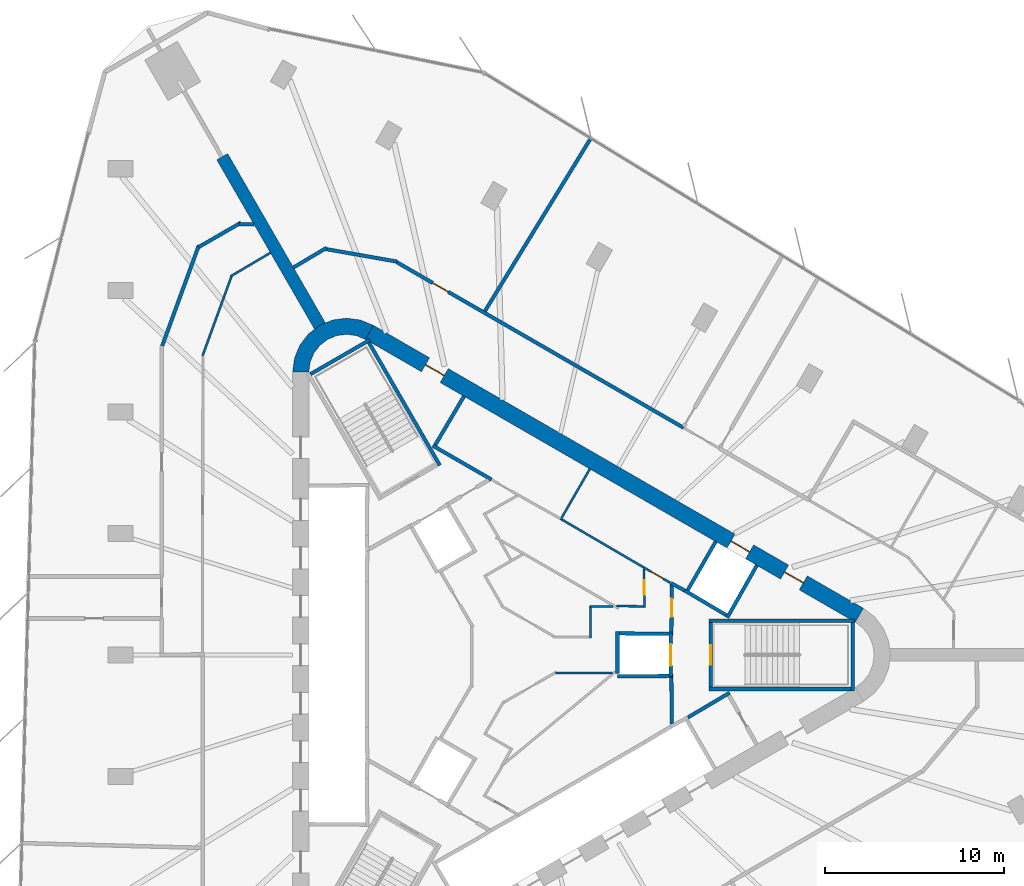
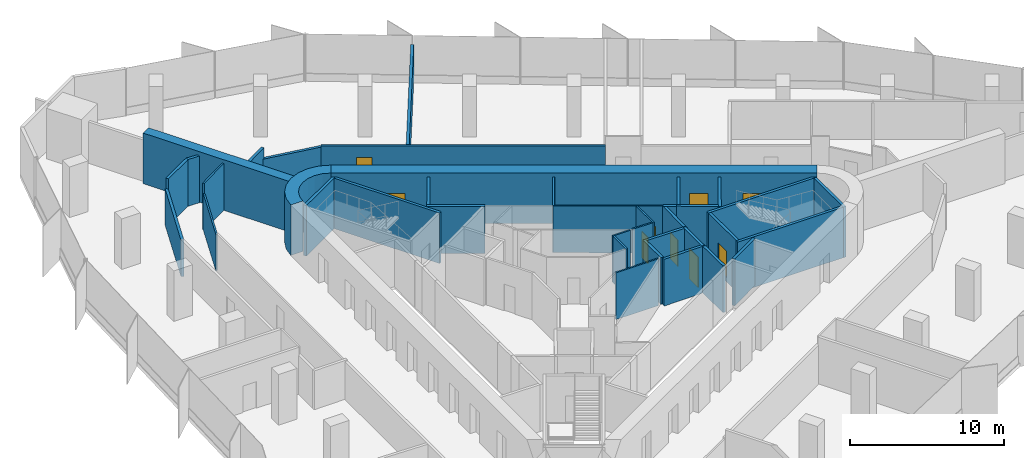
# One storey, part 11 of 14: 39 walls, 9 doors, 9 openings.
"""IFC4 building model written with IfcOpenShell, lengths in metres."""

from ifc_helpers import new_model, si_unit, direction, frame, frame_2d, origin, place, context, subcontext, project, spatial, polyline, rectangle, outline, extrude, material, layer, layer_set, type_object, element, fill, save


model = new_model("IFC4")

# Units and contexts
model_context = context("Model", 3, precision=1e-05, world=origin(), true_north=direction((0.0, 1.0)))
body_context = subcontext(model_context, "Body", "Model", "MODEL_VIEW")
ifc_project = project(units=[si_unit("LENGTHUNIT", "METRE"), si_unit("AREAUNIT", "SQUARE_METRE"), si_unit("VOLUMEUNIT", "CUBIC_METRE"), si_unit("PLANEANGLEUNIT", "RADIAN"), si_unit("MASSUNIT", "GRAM", prefix="KILO")], contexts=[model_context])

# Site, building, storey
site_placement = place(None, origin())
site = spatial("IfcSite", under=ifc_project, at=site_placement, CompositionType="ELEMENT")
building_placement = place(site_placement, origin())
building = spatial("IfcBuilding", under=site, at=building_placement, Name="Tanit Gate Tower", CompositionType="ELEMENT")
storey_placement = place(building_placement, frame((0.0, 0.0, 241.199951171875)))
storey = spatial("IfcBuildingStorey", under=building, at=storey_placement, Name="L54", CompositionType="ELEMENT", Elevation=241.199951171875)

# Wall
ifc_material_1 = material(Name="Concrete C50/60", Category="concrete")
ifc_layer_1 = layer(ifc_material_1, 0.699951171875)
ifc_layer_set_1 = layer_set([ifc_layer_1], Name="BUTTRESS FIN 700 C50/60")
wall_type_1 = type_object("IfcWallType", Name="BUTTRESS FIN 700 C50/60", PredefinedType="SHEAR", material=ifc_layer_set_1)
wall_1_placement = place(storey_placement, frame((-10.574951171875, 18.31640625, 0.0), z_axis=(0.0, 0.0, 1.0), x_axis=(-0.500002931134, 0.866023711487, 0.0)))
element("IfcWall", 1, at=wall_1_placement, inside=storey, type_object=wall_type_1, Name="BUTTRESS FIN", PredefinedType="SHEAR", context=body_context, shape_type="SweptSolid", body=[
    extrude(rectangle(XDim=10.900390625, YDim=0.699951171875, at=frame_2d((5.4501953125, 0.0))), origin(), (0.0, 0.0, 1.0), 4.0),
])

# Wall, openings, doors
ifc_material_2 = material(Name="Concrete C50/60", Category="concrete")
ifc_layer_2 = layer(ifc_material_2, 0.89990234375)
ifc_layer_set_2 = layer_set([ifc_layer_2], Name="CORE WALL 900 C50/60")
wall_type_2 = type_object("IfcWallType", Name="CORE WALL 900 C50/60", PredefinedType="SHEAR", material=ifc_layer_set_2)
wall_2_placement = place(storey_placement, frame((19.47509765625, 2.20849609375, 0.0), z_axis=(0.0, 0.0, 1.0), x_axis=(-0.866028369851, 0.499994862586, 0.0)))
wall_2 = element("IfcWall", 2, at=wall_2_placement, inside=storey, type_object=wall_type_2, Name="CORE WALL", PredefinedType="SHEAR", context=body_context, shape_type="SweptSolid", body=[
    extrude(rectangle(XDim=31.523193359375, YDim=0.89990234375, at=frame_2d((15.76171875, 0.0))), origin(), (0.0, 0.0, 1.0), 4.0),
])
opening_1_placement = place(wall_2_placement, frame((7.0615234375, 0.0, 0.0)))
opening_1 = element("IfcOpeningElement", 3, at=opening_1_placement, cuts=wall_2, Name="Opening LDML8-S15", PredefinedType="OPENING", context=body_context, shape_type="SweptSolid", body=[
    extrude(rectangle(XDim=1.199951171875, YDim=2.39990234375, at=frame_2d((0.60009765625, 1.199951171875))), frame((0.0, 0.4599609375, 0.0), z_axis=(0.0, -1.0, 0.0), x_axis=(1.0, 0.0, 0.0)), (0.0, 0.0, 1.0), 0.919921875),
])
opening_2_placement = place(wall_2_placement, frame((3.611572265625, 0.0, 0.0)))
opening_2 = element("IfcOpeningElement", 4, at=opening_2_placement, cuts=wall_2, Name="Opening F12-S15-FL1", PredefinedType="OPENING", context=body_context, shape_type="SweptSolid", body=[
    extrude(rectangle(XDim=1.199951171875, YDim=2.39990234375, at=frame_2d((0.60009765625, 1.199951171875))), frame((0.0, 0.4599609375, 0.0), z_axis=(0.0, -1.0, 0.0), x_axis=(1.0, 0.0, 0.0)), (0.0, 0.0, 1.0), 0.919921875),
])
opening_3_placement = place(wall_2_placement, frame((26.711669921875, 0.0, 0.0)))
opening_3 = element("IfcOpeningElement", 5, at=opening_3_placement, cuts=wall_2, Name="Opening F12-S15-S2", PredefinedType="OPENING", context=body_context, shape_type="SweptSolid", body=[
    extrude(rectangle(XDim=1.199951171875, YDim=2.39990234375, at=frame_2d((0.60009765625, 1.199951171875))), frame((0.0, 0.4599609375, 0.0), z_axis=(0.0, -1.0, 0.0), x_axis=(1.0, 0.0, 0.0)), (0.0, 0.0, 1.0), 0.919921875),
])
ifc_material_3 = material(Name="Fire-rated steel door leaf", Category="steel")
door_type_1 = type_object("IfcDoorType", Name="INT-DOOR-FIRE-LOBBY-1200", OperationType="NOTDEFINED", PredefinedType="USERDEFINED", material=ifc_material_3)
door_1_placement = place(opening_2_placement, origin())
door_1 = element("IfcDoor", 6, at=door_1_placement, inside=storey, type_object=door_type_1, Name="Door F12-S15-FL1", ObjectType="FIRE DOOR", OperationType="SINGLE_SWING_RIGHT", OverallHeight=2.39990234375, OverallWidth=1.199951171875, PredefinedType="USERDEFINED", context=body_context, shape_type="SweptSolid", body=[
    extrude(rectangle(XDim=1.199951171875, YDim=2.39990234375, at=frame_2d((0.60009765625, 1.199951171875))), frame((0.0, 0.02490234375, 0.0), z_axis=(0.0, -1.0, 0.0), x_axis=(1.0, 0.0, 0.0)), (0.0, 0.0, 1.0), 0.050048828125),
])
fill(opening_2, door_1)
door_2_placement = place(opening_3_placement, origin())
door_2 = element("IfcDoor", 7, at=door_2_placement, inside=storey, type_object=door_type_1, Name="Door F12-S15-S2", ObjectType="FIRE DOOR", OperationType="SINGLE_SWING_LEFT", OverallHeight=2.39990234375, OverallWidth=1.199951171875, PredefinedType="USERDEFINED", context=body_context, shape_type="SweptSolid", body=[
    extrude(rectangle(XDim=1.199951171875, YDim=2.39990234375, at=frame_2d((0.60009765625, 1.199951171875))), frame((0.0, 0.02490234375, 0.0), z_axis=(0.0, -1.0, 0.0), x_axis=(1.0, 0.0, 0.0)), (0.0, 0.0, 1.0), 0.050048828125),
])
fill(opening_3, door_2)
ifc_material_4 = material(Name="Stainless steel sliding door leaf", Category="steel")
door_type_2 = type_object("IfcDoorType", Name="INT-DOOR-LANDING-1200", OperationType="NOTDEFINED", PredefinedType="USERDEFINED", material=ifc_material_4)
door_3_placement = place(opening_1_placement, origin())
door_3 = element("IfcDoor", 8, at=door_3_placement, inside=storey, type_object=door_type_2, Name="Door LDML8-S15", ObjectType="LANDING DOOR", OperationType="SLIDING_TO_LEFT", OverallHeight=2.39990234375, OverallWidth=1.199951171875, PredefinedType="USERDEFINED", context=body_context, shape_type="SweptSolid", body=[
    extrude(rectangle(XDim=1.199951171875, YDim=2.39990234375, at=frame_2d((0.60009765625, 1.199951171875))), frame((0.0, 0.02490234375, 0.0), z_axis=(0.0, -1.0, 0.0), x_axis=(1.0, 0.0, 0.0)), (0.0, 0.0, 1.0), 0.050048828125),
])
fill(opening_1, door_3)

# Walls
wall_3_placement = place(storey_placement, origin())
element("IfcWall", 9, at=wall_3_placement, inside=storey, type_object=wall_type_2, Name="CORE WALL CORNER", PredefinedType="SHEAR", context=body_context, shape_type="SweptSolid", body=[
    extrude(outline(polyline([(-7.60009765625, 18.359619140625), (-8.323486328125, 18.659423828125), (-9.10009765625, 18.76171875), (-9.87646484375, 18.659423828125), (-10.60009765625, 18.359619140625), (-11.22119140625, 17.883056640625), (-11.697998046875, 17.26171875), (-11.997802734375, 16.5380859375), (-12.10009765625, 15.76171875), (-11.199951171875, 15.76171875), (-11.12841796875, 16.30517578125), (-10.918701171875, 16.811767578125), (-10.5849609375, 17.24658203125), (-10.14990234375, 17.580322265625), (-9.6435546875, 17.7900390625), (-9.10009765625, 17.86181640625), (-8.556396484375, 17.7900390625), (-8.050048828125, 17.580322265625), (-7.60009765625, 18.359619140625)])), origin(), (0.0, 0.0, 1.0), 4.0),
])
ifc_material_5 = material(Name="Fire-rated gypsum board partition")
ifc_layer_3 = layer(ifc_material_5, 0.199951171875)
ifc_layer_set_3 = layer_set([ifc_layer_3], Name="INT-WALL-COMPARTMENT")
wall_type_3 = type_object("IfcWallType", Name="INT-WALL-COMPARTMENT", PredefinedType="PARTITIONING", material=ifc_layer_set_3)
wall_4_placement = place(storey_placement, frame((8.97412109375, 3.998779296875, 0.0), z_axis=(0.0, 0.0, 1.0), x_axis=(0.880917147855, -0.473270513147, 0.0)))
element("IfcWall", 10, at=wall_4_placement, inside=storey, type_object=wall_type_3, Name="Wall Compartment W050", PredefinedType="PARTITIONING", context=body_context, shape_type="SweptSolid", body=[
    extrude(rectangle(XDim=0.8779296875, YDim=0.199951171875, at=frame_2d((0.43896484375, 0.0))), origin(), (0.0, 0.0, 1.0), 3.699951171875),
])
wall_5_placement = place(storey_placement, frame((-4.295654296875, 11.659912109375, 0.0), z_axis=(0.0, 0.0, 1.0), x_axis=(0.866027389382, -0.499996560828, 0.0)))
element("IfcWall", 11, at=wall_5_placement, inside=storey, type_object=wall_type_3, Name="Wall Compartment W053", PredefinedType="PARTITIONING", context=body_context, shape_type="SweptSolid", body=[
    extrude(rectangle(XDim=3.77783203125, YDim=0.199951171875, at=frame_2d((1.888916015625, 0.0))), origin(), (0.0, 0.0, 1.0), 3.699951171875),
])
wall_6_placement = place(storey_placement, frame((-2.557861328125, 14.409423828125, 0.0), z_axis=(0.0, 0.0, 1.0), x_axis=(-0.508018930956, -0.861345903683, 0.0)))
element("IfcWall", 12, at=wall_6_placement, inside=storey, type_object=wall_type_3, Name="Wall Compartment W054", PredefinedType="PARTITIONING", context=body_context, shape_type="SweptSolid", body=[
    extrude(rectangle(XDim=3.150146484375, YDim=0.199951171875, at=frame_2d((1.5751953125, 0.0))), origin(), (0.0, 0.0, 1.0), 3.699951171875),
])
wall_7_placement = place(storey_placement, frame((12.244873046875, -2.10888671875, 0.0), z_axis=(0.0, 0.0, 1.0), x_axis=(-0.860414880418, -0.509594185166, 0.0)))
element("IfcWall", 13, at=wall_7_placement, inside=storey, type_object=wall_type_3, Name="Wall Compartment W057", PredefinedType="PARTITIONING", context=body_context, shape_type="SweptSolid", body=[
    extrude(rectangle(XDim=2.7001953125, YDim=0.199951171875, at=frame_2d((1.35009765625, 0.0))), origin(), (0.0, 0.0, 1.0), 3.699951171875),
])
wall_8_placement = place(storey_placement, frame((9.02880859375, -3.8505859375, 0.0), z_axis=(0.0, 0.0, 1.0), x_axis=(-0.010784614026, 0.999941844359, 0.0)))
element("IfcWall", 14, at=wall_8_placement, inside=storey, type_object=wall_type_3, Name="Wall Compartment W059", PredefinedType="PARTITIONING", context=body_context, shape_type="SweptSolid", body=[
    extrude(rectangle(XDim=2.580810546875, YDim=0.199951171875, at=frame_2d((1.29052734375, 0.0))), origin(), (0.0, 0.0, 1.0), 3.699951171875),
])

# Wall, opening, door
wall_9_placement = place(storey_placement, frame((9.0009765625, 1.27001953125, 0.0), z_axis=(0.0, 0.0, 1.0), x_axis=(0.010723968736, 0.999942496594, 0.0)))
wall_9 = element("IfcWall", 15, at=wall_9_placement, inside=storey, type_object=wall_type_3, Name="Wall Compartment W060", PredefinedType="PARTITIONING", context=body_context, shape_type="SweptSolid", body=[
    extrude(rectangle(XDim=2.709228515625, YDim=0.199951171875, at=frame_2d((1.3544921875, 0.0))), origin(), (0.0, 0.0, 1.0), 3.699951171875),
])
opening_4_placement = place(wall_9_placement, frame((0.848388671875, 0.0, 0.0)))
opening_4 = element("IfcOpeningElement", 16, at=opening_4_placement, cuts=wall_9, Name="Opening F10-S15-02", PredefinedType="OPENING", context=body_context, shape_type="SweptSolid", body=[
    extrude(rectangle(XDim=1.0, YDim=2.10009765625, at=frame_2d((0.5, 1.050048828125))), frame((0.0, 0.10986328125, 0.0), z_axis=(0.0, -1.0, 0.0), x_axis=(1.0, 0.0, 0.0)), (0.0, 0.0, 1.0), 0.219970703125),
])
ifc_material_6 = material(Name="Fire-rated steel door leaf", Category="steel")
door_type_3 = type_object("IfcDoorType", Name="INT-DOOR-FIRE-1000", OperationType="NOTDEFINED", PredefinedType="USERDEFINED", material=ifc_material_6)
door_4_placement = place(opening_4_placement, origin())
door_4 = element("IfcDoor", 17, at=door_4_placement, inside=storey, type_object=door_type_3, Name="Door F10-S15-02", ObjectType="FIRE DOOR", OperationType="SINGLE_SWING_LEFT", OverallHeight=2.10009765625, OverallWidth=1.0, PredefinedType="USERDEFINED", context=body_context, shape_type="SweptSolid", body=[
    extrude(rectangle(XDim=1.0, YDim=2.10009765625, at=frame_2d((0.5, 1.050048828125))), frame((0.0, 0.02490234375, 0.0), z_axis=(0.0, -1.0, 0.0), x_axis=(1.0, 0.0, 0.0)), (0.0, 0.0, 1.0), 0.050048828125),
])
fill(opening_4, door_4)

# Walls
wall_10_placement = place(storey_placement, frame((-17.33056640625, 22.81396484375, 0.0), z_axis=(0.0, 0.0, 1.0), x_axis=(-0.342006584993, -0.939697555505, 0.0)))
element("IfcWall", 18, at=wall_10_placement, inside=storey, type_object=wall_type_3, Name="Wall Compartment W095", PredefinedType="PARTITIONING", context=body_context, shape_type="SweptSolid", body=[
    extrude(rectangle(XDim=5.95068359375, YDim=0.199951171875, at=frame_2d((2.975341796875, 0.0))), origin(), (0.0, 0.0, 1.0), 2.880126953125),
])
wall_11_placement = place(storey_placement, frame((-14.97998046875, 24.082763671875, 0.0), z_axis=(0.0, 0.0, 1.0), x_axis=(-0.866008795918, -0.500028764566, 0.0)))
element("IfcWall", 19, at=wall_11_placement, inside=storey, type_object=wall_type_3, Name="Wall Compartment W096", PredefinedType="PARTITIONING", context=body_context, shape_type="SweptSolid", body=[
    extrude(rectangle(XDim=2.713623046875, YDim=0.199951171875, at=frame_2d((1.35693359375, 0.0))), origin(), (0.0, 0.0, 1.0), 3.699951171875),
])
wall_12_placement = place(storey_placement, frame((-14.250244140625, 23.982421875, 0.0), z_axis=(0.0, 0.0, 1.0), x_axis=(-0.999799129767, 0.02004245786, 0.0)))
element("IfcWall", 20, at=wall_12_placement, inside=storey, type_object=wall_type_3, Name="Wall Compartment W097", PredefinedType="PARTITIONING", context=body_context, shape_type="SweptSolid", body=[
    extrude(rectangle(XDim=0.840576171875, YDim=0.199951171875, at=frame_2d((0.42041015625, 0.0))), origin(), (0.0, 0.0, 1.0), 3.699951171875),
])
wall_13_placement = place(storey_placement, frame((-10.209716796875, 22.681396484375, 0.0), z_axis=(0.0, 0.0, 1.0), x_axis=(-0.859700405816, -0.510798602425, 0.0)))
element("IfcWall", 21, at=wall_13_placement, inside=storey, type_object=wall_type_3, Name="Wall Compartment W103", PredefinedType="PARTITIONING", context=body_context, shape_type="SweptSolid", body=[
    extrude(rectangle(XDim=2.14892578125, YDim=0.199951171875, at=frame_2d((1.074462890625, 0.0))), origin(), (0.0, 0.0, 1.0), 3.699951171875),
])
wall_14_placement = place(storey_placement, frame((-6.28515625, 21.91259765625, 0.0), z_axis=(0.0, 0.0, 1.0), x_axis=(-0.984806073034, 0.173657705026, 0.0)))
element("IfcWall", 22, at=wall_14_placement, inside=storey, type_object=wall_type_3, Name="Wall Compartment W104", PredefinedType="PARTITIONING", context=body_context, shape_type="SweptSolid", body=[
    extrude(rectangle(XDim=4.03759765625, YDim=0.199951171875, at=frame_2d((2.018798828125, 0.0))), origin(), (0.0, 0.0, 1.0), 2.880126953125),
])

# Wall, opening, door
wall_15_placement = place(storey_placement, frame((9.67529296875, 12.658203125, 0.0), z_axis=(0.0, 0.0, 1.0), x_axis=(-0.866025327327, 0.500000132428, 0.0)))
wall_15 = element("IfcWall", 23, at=wall_15_placement, inside=storey, type_object=wall_type_3, Name="Wall Compartment W106", PredefinedType="PARTITIONING", context=body_context, shape_type="SweptSolid", body=[
    extrude(rectangle(XDim=18.443359375, YDim=0.199951171875, at=frame_2d((9.2216796875, 0.0))), origin(), (0.0, 0.0, 1.0), 2.97998046875),
])
opening_5_placement = place(wall_15_placement, frame((15.1376953125, 0.0, 0.0)))
opening_5 = element("IfcOpeningElement", 24, at=opening_5_placement, cuts=wall_15, Name="Opening F10-S15-34", PredefinedType="OPENING", context=body_context, shape_type="SweptSolid", body=[
    extrude(rectangle(XDim=1.0, YDim=2.10009765625, at=frame_2d((0.5, 1.050048828125))), frame((0.0, 0.10986328125, 0.0), z_axis=(0.0, -1.0, 0.0), x_axis=(1.0, 0.0, 0.0)), (0.0, 0.0, 1.0), 0.219970703125),
])
door_5_placement = place(opening_5_placement, origin())
door_5 = element("IfcDoor", 25, at=door_5_placement, inside=storey, type_object=door_type_3, Name="Door F10-S15-34", ObjectType="FIRE DOOR", OperationType="SINGLE_SWING_LEFT", OverallHeight=2.10009765625, OverallWidth=1.0, PredefinedType="USERDEFINED", context=body_context, shape_type="SweptSolid", body=[
    extrude(rectangle(XDim=1.0, YDim=2.10009765625, at=frame_2d((0.5, 1.050048828125))), frame((0.0, 0.02490234375, 0.0), z_axis=(0.0, -1.0, 0.0), x_axis=(1.0, 0.0, 0.0)), (0.0, 0.0, 1.0), 0.050048828125),
])
fill(opening_5, door_5)

# Walls
wall_16_placement = place(storey_placement, frame((-1.38525390625, 19.15966796875, 0.0), z_axis=(0.0, 0.0, 1.0), x_axis=(0.522271376538, 0.852779343822, 0.0)))
element("IfcWall", 26, at=wall_16_placement, inside=storey, type_object=wall_type_3, Name="Wall Compartment W133", PredefinedType="PARTITIONING", context=body_context, shape_type="SweptSolid", body=[
    extrude(rectangle(XDim=11.286376953125, YDim=0.199951171875, at=frame_2d((5.64306640625, 0.0))), origin(), (0.0, 0.0, 1.0), 2.97998046875),
])
ifc_material_7 = material(Name="Gypsum board partition")
ifc_layer_4 = layer(ifc_material_7, 0.1201171875)
ifc_layer_set_4 = layer_set([ifc_layer_4], Name="INT-WALL-PARTITION")
wall_type_4 = type_object("IfcWallType", Name="INT-WALL-PARTITION", PredefinedType="PARTITIONING", material=ifc_layer_set_4)
wall_17_placement = place(storey_placement, frame((4.456787109375, 10.359375, 0.0), z_axis=(0.0, 0.0, 1.0), x_axis=(-0.500017246033, -0.866015446554, 0.0)))
element("IfcWall", 27, at=wall_17_placement, inside=storey, type_object=wall_type_4, Name="Wall Partition W049", PredefinedType="PARTITIONING", context=body_context, shape_type="SweptSolid", body=[
    extrude(rectangle(XDim=3.25, YDim=0.1201171875, at=frame_2d((1.625, 0.0))), origin(), (0.0, 0.0, 1.0), 3.699951171875),
])
wall_18_placement = place(storey_placement, frame((2.82080078125, 7.5859375, 0.0), z_axis=(0.0, 0.0, 1.0), x_axis=(0.863262357411, -0.504755487615, 0.0)))
element("IfcWall", 28, at=wall_18_placement, inside=storey, type_object=wall_type_4, Name="Wall Partition W051", PredefinedType="PARTITIONING", context=body_context, shape_type="SweptSolid", body=[
    extrude(rectangle(XDim=5.370361328125, YDim=0.1201171875, at=frame_2d((2.68505859375, 0.0))), origin(), (0.0, 0.0, 1.0), 3.699951171875),
])

# Wall, opening, door
wall_19_placement = place(storey_placement, frame((7.45654296875, 4.874755859375, 0.0), z_axis=(0.0, 0.0, 1.0), x_axis=(0.866027945518, -0.499995597562, 0.0)))
wall_19 = element("IfcWall", 29, at=wall_19_placement, inside=storey, type_object=wall_type_4, Name="Wall Partition W052", PredefinedType="PARTITIONING", context=body_context, shape_type="SweptSolid", body=[
    extrude(rectangle(XDim=1.7021484375, YDim=0.1201171875, at=frame_2d((0.85107421875, 0.0))), origin(), (0.0, 0.0, 1.0), 3.699951171875),
])
opening_6_placement = place(wall_19_placement, frame((0.461181640625, 0.0, 0.0)))
opening_6 = element("IfcOpeningElement", 30, at=opening_6_placement, cuts=wall_19, Name="Opening R08-S15-15", PredefinedType="OPENING", context=body_context, shape_type="SweptSolid", body=[
    extrude(rectangle(XDim=0.800048828125, YDim=2.10009765625, at=frame_2d((0.39990234375, 1.050048828125))), frame((0.0, 0.070068359375, 0.0), z_axis=(0.0, -1.0, 0.0), x_axis=(1.0, 0.0, 0.0)), (0.0, 0.0, 1.0), 0.14013671875),
])
ifc_material_8 = material(Name="Timber door leaf", Category="wood")
door_type_4 = type_object("IfcDoorType", Name="INT-DOOR-RISER-800", OperationType="NOTDEFINED", PredefinedType="USERDEFINED", material=ifc_material_8)
door_6_placement = place(opening_6_placement, origin())
door_6 = element("IfcDoor", 31, at=door_6_placement, inside=storey, type_object=door_type_4, Name="Door R08-S15-15", ObjectType="FIRE DOOR", OperationType="SINGLE_SWING_LEFT", OverallHeight=2.10009765625, OverallWidth=0.800048828125, PredefinedType="USERDEFINED", context=body_context, shape_type="SweptSolid", body=[
    extrude(rectangle(XDim=0.800048828125, YDim=2.10009765625, at=frame_2d((0.39990234375, 1.050048828125))), frame((0.0, 0.02490234375, 0.0), z_axis=(0.0, -1.0, 0.0), x_axis=(1.0, 0.0, 0.0)), (0.0, 0.0, 1.0), 0.050048828125),
])
fill(opening_6, door_6)

# Walls
wall_20_placement = place(storey_placement, frame((5.712646484375, -1.0, 0.0), z_axis=(0.0, 0.0, 1.0), x_axis=(-1.0, 0.0, 0.0)))
element("IfcWall", 32, at=wall_20_placement, inside=storey, type_object=wall_type_4, Name="Wall Partition W073", PredefinedType="PARTITIONING", context=body_context, shape_type="SweptSolid", body=[
    extrude(rectangle(XDim=3.1826171875, YDim=0.1201171875, at=frame_2d((1.59130859375, 0.0))), origin(), (0.0, 0.0, 1.0), 3.699951171875),
])
wall_21_placement = place(storey_placement, frame((4.43994140625, 2.699951171875, 0.0), z_axis=(0.0, 0.0, 1.0), x_axis=(1.0, 0.0, 0.0)))
element("IfcWall", 33, at=wall_21_placement, inside=storey, type_object=wall_type_4, Name="Wall Partition W077", PredefinedType="PARTITIONING", context=body_context, shape_type="SweptSolid", body=[
    extrude(rectangle(XDim=1.301513671875, YDim=0.1201171875, at=frame_2d((0.65087890625, 0.0))), origin(), (0.0, 0.0, 1.0), 3.699951171875),
])
wall_22_placement = place(storey_placement, frame((4.5, 0.93994140625, 0.0), z_axis=(0.0, 0.0, 1.0), x_axis=(0.0, 1.0, 0.0)))
element("IfcWall", 34, at=wall_22_placement, inside=storey, type_object=wall_type_4, Name="Wall Partition W078", PredefinedType="PARTITIONING", context=body_context, shape_type="SweptSolid", body=[
    extrude(rectangle(XDim=1.699951171875, YDim=0.1201171875, at=frame_2d((0.85009765625, 0.0))), origin(), (0.0, 0.0, 1.0), 3.699951171875),
])

# Wall, opening, door
wall_23_placement = place(storey_placement, frame((7.500732421875, 2.639892578125, 0.0), z_axis=(0.0, 0.0, 1.0), x_axis=(-0.01178388431, 0.999930567625, 0.0)))
wall_23 = element("IfcWall", 35, at=wall_23_placement, inside=storey, type_object=wall_type_4, Name="Wall Partition W086", PredefinedType="PARTITIONING", context=body_context, shape_type="SweptSolid", body=[
    extrude(rectangle(XDim=2.15478515625, YDim=0.1201171875, at=frame_2d((1.077392578125, 0.0))), origin(), (0.0, 0.0, 1.0), 3.699951171875),
])
opening_7_placement = place(wall_23_placement, frame((0.707275390625, 0.0, 0.0)))
opening_7 = element("IfcOpeningElement", 36, at=opening_7_placement, cuts=wall_23, Name="Opening R08-S15-14", PredefinedType="OPENING", context=body_context, shape_type="SweptSolid", body=[
    extrude(rectangle(XDim=0.800048828125, YDim=2.10009765625, at=frame_2d((0.39990234375, 1.050048828125))), frame((0.0, 0.070068359375, 0.0), z_axis=(0.0, -1.0, 0.0), x_axis=(1.0, 0.0, 0.0)), (0.0, 0.0, 1.0), 0.14013671875),
])
door_7_placement = place(opening_7_placement, origin())
door_7 = element("IfcDoor", 37, at=door_7_placement, inside=storey, type_object=door_type_4, Name="Door R08-S15-14", ObjectType="FIRE DOOR", OperationType="SINGLE_SWING_RIGHT", OverallHeight=2.10009765625, OverallWidth=0.800048828125, PredefinedType="USERDEFINED", context=body_context, shape_type="SweptSolid", body=[
    extrude(rectangle(XDim=0.800048828125, YDim=2.10009765625, at=frame_2d((0.39990234375, 1.050048828125))), frame((0.0, 0.02490234375, 0.0), z_axis=(0.0, -1.0, 0.0), x_axis=(1.0, 0.0, 0.0)), (0.0, 0.0, 1.0), 0.050048828125),
])
fill(opening_7, door_7)

# Walls
wall_24_placement = place(storey_placement, frame((5.93408203125, 2.727294921875, 0.0), z_axis=(0.0, 0.0, 1.0), x_axis=(0.999846739959, -0.017507044085, 0.0)))
element("IfcWall", 38, at=wall_24_placement, inside=storey, type_object=wall_type_4, Name="Wall Partition W087", PredefinedType="PARTITIONING", context=body_context, shape_type="SweptSolid", body=[
    extrude(rectangle(XDim=1.506103515625, YDim=0.1201171875, at=frame_2d((0.7529296875, 0.0))), origin(), (0.0, 0.0, 1.0), 3.699951171875),
])
wall_25_placement = place(storey_placement, frame((-13.33935546875, 22.404541015625, 0.0), z_axis=(0.0, 0.0, 1.0), x_axis=(-0.86070028932, -0.509111983718, 0.0)))
element("IfcWall", 39, at=wall_25_placement, inside=storey, type_object=wall_type_4, Name="Wall Partition W088", PredefinedType="PARTITIONING", context=body_context, shape_type="SweptSolid", body=[
    extrude(rectangle(XDim=2.578857421875, YDim=0.1201171875, at=frame_2d((1.28955078125, 0.0))), origin(), (0.0, 0.0, 1.0), 3.699951171875),
])
wall_26_placement = place(storey_placement, frame((-15.505859375, 21.102783203125, 0.0), z_axis=(0.0, 0.0, 1.0), x_axis=(-0.342017079535, -0.939693735909, 0.0)))
element("IfcWall", 40, at=wall_26_placement, inside=storey, type_object=wall_type_4, Name="Wall Partition W089", PredefinedType="PARTITIONING", context=body_context, shape_type="SweptSolid", body=[
    extrude(rectangle(XDim=4.72119140625, YDim=0.1201171875, at=frame_2d((2.360595703125, 0.0))), origin(), (0.0, 0.0, 1.0), 2.880126953125),
])
ifc_material_9 = material(Name="Gypsum shaft wall system")
ifc_layer_5 = layer(ifc_material_9, 0.199951171875)
ifc_layer_set_5 = layer_set([ifc_layer_5], Name="INT-WALL-SHAFT")
wall_type_5 = type_object("IfcWallType", Name="INT-WALL-SHAFT", PredefinedType="PLUMBINGWALL", material=ifc_layer_set_5)
wall_27_placement = place(storey_placement, frame((9.8466796875, 3.494873046875, 0.0), z_axis=(0.0, 0.0, 1.0), x_axis=(0.499984717929, 0.866034226713, 0.0)))
element("IfcWall", 41, at=wall_27_placement, inside=storey, type_object=wall_type_5, Name="Wall Shaft W012", PredefinedType="PLUMBINGWALL", context=body_context, shape_type="SweptSolid", body=[
    extrude(rectangle(XDim=3.25, YDim=0.199951171875, at=frame_2d((1.625, 0.0))), origin(), (0.0, 0.0, 1.0), 3.699951171875),
])
wall_28_placement = place(storey_placement, frame((12.10986328125, 2.07275390625, 0.0), z_axis=(0.0, 0.0, 1.0), x_axis=(0.49196600604, 0.870614408852, 0.0)))
element("IfcWall", 42, at=wall_28_placement, inside=storey, type_object=wall_type_5, Name="Wall Shaft W013", PredefinedType="PLUMBINGWALL", context=body_context, shape_type="SweptSolid", body=[
    extrude(rectangle(XDim=3.35009765625, YDim=0.199951171875, at=frame_2d((1.675048828125, 0.0))), origin(), (0.0, 0.0, 1.0), 3.699951171875),
])
wall_29_placement = place(storey_placement, frame((12.072998046875, 2.2109375, 0.0), z_axis=(0.0, 0.0, 1.0), x_axis=(-0.860414880418, 0.509594185166, 0.0)))
element("IfcWall", 43, at=wall_29_placement, inside=storey, type_object=wall_type_5, Name="Wall Shaft W014", PredefinedType="PLUMBINGWALL", context=body_context, shape_type="SweptSolid", body=[
    extrude(rectangle(XDim=2.7001953125, YDim=0.199951171875, at=frame_2d((1.35009765625, 0.0))), origin(), (0.0, 0.0, 1.0), 3.699951171875),
])

# Wall, opening, door
wall_30_placement = place(storey_placement, frame((8.969970703125, 1.199951171875, 0.0), z_axis=(0.0, 0.0, 1.0), x_axis=(0.0, -1.0, 0.0)))
wall_30 = element("IfcWall", 44, at=wall_30_placement, inside=storey, type_object=wall_type_5, Name="Wall Shaft W029", PredefinedType="PLUMBINGWALL", context=body_context, shape_type="SweptSolid", body=[
    extrude(rectangle(XDim=2.39990234375, YDim=0.199951171875, at=frame_2d((1.199951171875, 0.0))), origin(), (0.0, 0.0, 1.0), 3.699951171875),
])
opening_8_placement = place(wall_30_placement, frame((0.60009765625, 0.0, 0.0)))
opening_8 = element("IfcOpeningElement", 45, at=opening_8_placement, cuts=wall_30, Name="Opening LDFL1-L54", PredefinedType="OPENING", context=body_context, shape_type="SweptSolid", body=[
    extrude(rectangle(XDim=1.199951171875, YDim=2.39990234375, at=frame_2d((0.60009765625, 1.199951171875))), frame((0.0, 0.10986328125, 0.0), z_axis=(0.0, -1.0, 0.0), x_axis=(1.0, 0.0, 0.0)), (0.0, 0.0, 1.0), 0.219970703125),
])
door_8_placement = place(opening_8_placement, origin())
door_8 = element("IfcDoor", 46, at=door_8_placement, inside=storey, type_object=door_type_2, Name="Door LDFL1-L54", ObjectType="LANDING DOOR", OperationType="SLIDING_TO_LEFT", OverallHeight=2.39990234375, OverallWidth=1.199951171875, PredefinedType="USERDEFINED", context=body_context, shape_type="SweptSolid", body=[
    extrude(rectangle(XDim=1.199951171875, YDim=2.39990234375, at=frame_2d((0.60009765625, 1.199951171875))), frame((0.0, 0.02490234375, 0.0), z_axis=(0.0, -1.0, 0.0), x_axis=(1.0, 0.0, 0.0)), (0.0, 0.0, 1.0), 0.050048828125),
])
fill(opening_8, door_8)

# Walls
wall_31_placement = place(storey_placement, frame((9.10009765625, -1.1689453125, 0.0), z_axis=(0.0, 0.0, 1.0), x_axis=(-0.999949988, -0.010001074852, 0.0)))
element("IfcWall", 47, at=wall_31_placement, inside=storey, type_object=wall_type_5, Name="Wall Shaft W030", PredefinedType="PLUMBINGWALL", context=body_context, shape_type="SweptSolid", body=[
    extrude(rectangle(XDim=3.100341796875, YDim=0.199951171875, at=frame_2d((1.55029296875, 0.0))), origin(), (0.0, 0.0, 1.0), 3.699951171875),
])
wall_32_placement = place(storey_placement, frame((6.0, -1.029541015625, 0.0), z_axis=(0.0, 0.0, 1.0), x_axis=(0.0, 1.0, 0.0)))
element("IfcWall", 48, at=wall_32_placement, inside=storey, type_object=wall_type_5, Name="Wall Shaft W031", PredefinedType="PLUMBINGWALL", context=body_context, shape_type="SweptSolid", body=[
    extrude(rectangle(XDim=2.32958984375, YDim=0.199951171875, at=frame_2d((1.164794921875, 0.0))), origin(), (0.0, 0.0, 1.0), 3.699951171875),
])
wall_33_placement = place(storey_placement, frame((9.10009765625, 1.1689453125, 0.0), z_axis=(0.0, 0.0, 1.0), x_axis=(-0.99994990606, 0.010009264196, 0.0)))
element("IfcWall", 49, at=wall_33_placement, inside=storey, type_object=wall_type_5, Name="Wall Shaft W032", PredefinedType="PLUMBINGWALL", context=body_context, shape_type="SweptSolid", body=[
    extrude(rectangle(XDim=3.000244140625, YDim=0.199951171875, at=frame_2d((1.5, 0.0))), origin(), (0.0, 0.0, 1.0), 3.699951171875),
])
ifc_material_10 = material(Name="Concrete C40/50", Category="concrete")
ifc_layer_6 = layer(ifc_material_10, 0.199951171875)
ifc_layer_set_6 = layer_set([ifc_layer_6], Name="INT-WALL-STAIR")
wall_type_6 = type_object("IfcWallType", Name="INT-WALL-STAIR", PredefinedType="SHEAR", material=ifc_layer_set_6)
wall_34_placement = place(storey_placement, frame((19.199951171875, 1.89990234375, -0.300048828125), z_axis=(0.0, 0.0, 1.0), x_axis=(-1.0, 0.0, 0.0)))
element("IfcWall", 50, at=wall_34_placement, inside=storey, type_object=wall_type_6, Name="Wall Stair W025", PredefinedType="SHEAR", context=body_context, shape_type="SweptSolid", body=[
    extrude(rectangle(XDim=8.099853515625, YDim=0.199951171875, at=frame_2d((4.0498046875, 0.0))), origin(), (0.0, 0.0, 1.0), 4.0),
])
wall_35_placement = place(storey_placement, frame((19.10009765625, -2.0, -0.300048828125), z_axis=(0.0, 0.0, 1.0), x_axis=(0.0, 1.0, 0.0)))
element("IfcWall", 51, at=wall_35_placement, inside=storey, type_object=wall_type_6, Name="Wall Stair W026", PredefinedType="SHEAR", context=body_context, shape_type="SweptSolid", body=[
    extrude(rectangle(XDim=3.800048828125, YDim=0.199951171875, at=frame_2d((1.89990234375, 0.0))), origin(), (0.0, 0.0, 1.0), 4.0),
])
wall_36_placement = place(storey_placement, frame((11.10009765625, -1.89990234375, -0.300048828125), z_axis=(0.0, 0.0, 1.0), x_axis=(1.0, 0.0, 0.0)))
element("IfcWall", 52, at=wall_36_placement, inside=storey, type_object=wall_type_6, Name="Wall Stair W027", PredefinedType="SHEAR", context=body_context, shape_type="SweptSolid", body=[
    extrude(rectangle(XDim=7.89990234375, YDim=0.199951171875, at=frame_2d((3.949951171875, 0.0))), origin(), (0.0, 0.0, 1.0), 4.0),
])

# Wall, opening, door
wall_37_placement = place(storey_placement, frame((11.199951171875, -1.800048828125, -0.300048828125), z_axis=(0.0, 0.0, 1.0), x_axis=(0.0, 1.0, 0.0)))
wall_37 = element("IfcWall", 53, at=wall_37_placement, inside=storey, type_object=wall_type_6, Name="Wall Stair W028", PredefinedType="SHEAR", context=body_context, shape_type="SweptSolid", body=[
    extrude(rectangle(XDim=3.60009765625, YDim=0.199951171875, at=frame_2d((1.800048828125, 0.0))), origin(), (0.0, 0.0, 1.0), 4.0),
])
opening_9_placement = place(wall_37_placement, frame((1.25, 0.0, 0.300048828125)))
opening_9 = element("IfcOpeningElement", 54, at=opening_9_placement, cuts=wall_37, Name="Opening S11-S15-01", PredefinedType="OPENING", context=body_context, shape_type="SweptSolid", body=[
    extrude(rectangle(XDim=1.10009765625, YDim=2.10009765625, at=frame_2d((0.550048828125, 1.050048828125))), frame((0.0, 0.10986328125, 0.0), z_axis=(0.0, -1.0, 0.0), x_axis=(1.0, 0.0, 0.0)), (0.0, 0.0, 1.0), 0.219970703125),
])
ifc_material_11 = material(Name="Timber door leaf", Category="wood")
door_type_5 = type_object("IfcDoorType", Name="INT-DOOR-STAIR-1100", OperationType="NOTDEFINED", PredefinedType="USERDEFINED", material=ifc_material_11)
door_9_placement = place(opening_9_placement, origin())
door_9 = element("IfcDoor", 55, at=door_9_placement, inside=storey, type_object=door_type_5, Name="Door S11-S15-01", ObjectType="FIRE DOOR", OperationType="SINGLE_SWING_RIGHT", OverallHeight=2.10009765625, OverallWidth=1.10009765625, PredefinedType="USERDEFINED", context=body_context, shape_type="SweptSolid", body=[
    extrude(rectangle(XDim=1.10009765625, YDim=2.10009765625, at=frame_2d((0.550048828125, 1.050048828125))), frame((0.0, 0.02490234375, 0.0), z_axis=(0.0, -1.0, 0.0), x_axis=(1.0, 0.0, 0.0)), (0.0, 0.0, 1.0), 0.050048828125),
])
fill(opening_9, door_9)

# Walls
wall_38_placement = place(storey_placement, frame((-7.81787109375, 17.541015625, -0.300048828125), z_axis=(0.0, 0.0, 1.0), x_axis=(-0.866044365799, -0.499967155389, 0.0)))
element("IfcWall", 56, at=wall_38_placement, inside=storey, type_object=wall_type_6, Name="Wall Stair W034", PredefinedType="SHEAR", context=body_context, shape_type="SweptSolid", body=[
    extrude(rectangle(XDim=3.800048828125, YDim=0.199951171875, at=frame_2d((1.89990234375, 0.0))), origin(), (0.0, 0.0, 1.0), 4.0),
])
wall_39_placement = place(storey_placement, frame((-7.8544921875, 17.404541015625, -0.300048828125), z_axis=(0.0, 0.0, 1.0), x_axis=(0.499997992926, -0.866026562566, 0.0)))
element("IfcWall", 57, at=wall_39_placement, inside=storey, type_object=wall_type_6, Name="Wall Stair W035", PredefinedType="SHEAR", context=body_context, shape_type="SweptSolid", body=[
    extrude(rectangle(XDim=7.89990234375, YDim=0.199951171875, at=frame_2d((3.949951171875, 0.0))), origin(), (0.0, 0.0, 1.0), 4.0),
])

save(model, "model.ifc")
